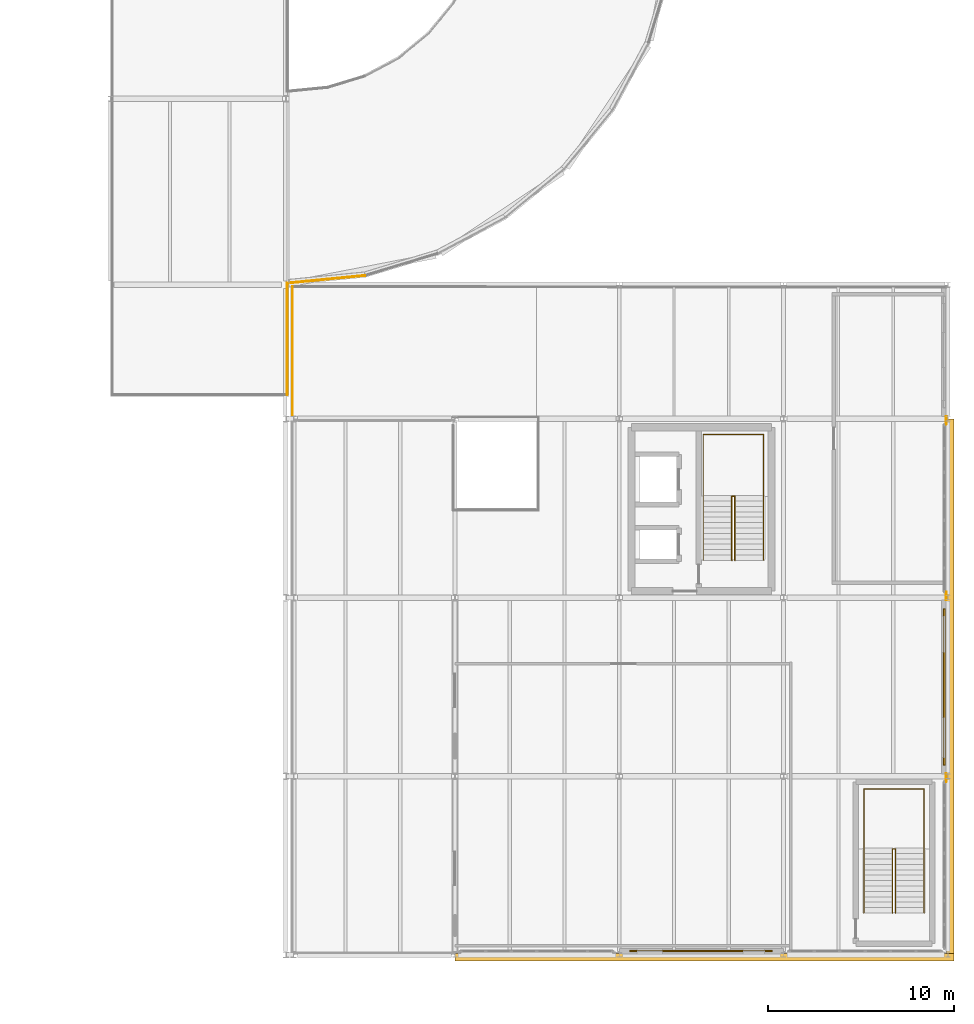
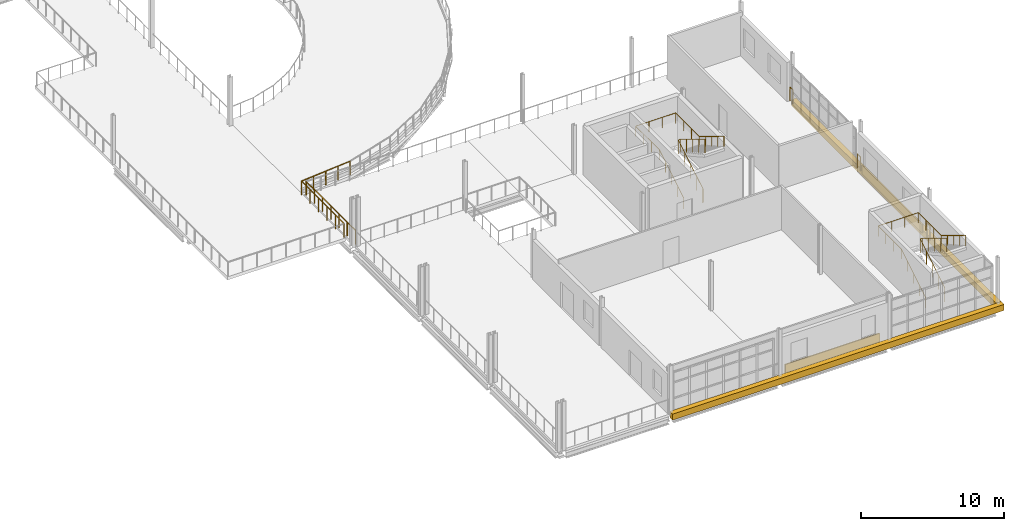
# One storey, part 56 of 58: 10 railings, 4 coverings.
"""IFC4 building model written with IfcOpenShell, lengths in metres."""

import ifcopenshell
import ifcopenshell.guid

model = None  # the IFC model being written
_history = None  # IfcOwnerHistory: only IFC2X3 demands one
_inside = {}  # id of a spatial element -> (the spatial element, [elements in it])
_under = {}  # id of a project, library or spatial element -> (it, [spatial elements below it])
_declared = {}  # id of a project -> (the project, [libraries it declares])
_typed = {}  # id of a type object -> (the type object, [elements of that type])
_made_of = {}  # id of a material, layer set ... -> (it, [elements and type objects made of it])


def new_model(schema):
    """Start an empty IFC model of exactly this schema.

    Asked for "IFC4X3", IfcOpenShell would pick the latest addendum, in which some entities
    have other attributes; the version numbers below select the first issue.
    IFC2X3 requires an IfcOwnerHistory on every rooted entity: one is made here for all.
    """
    global model, _history
    if schema == "IFC4X3":
        model = ifcopenshell.file(schema_version=(4, 3, 0, 0))
    else:
        model = ifcopenshell.file(schema=schema)
    _inside.clear()
    _under.clear()
    _declared.clear()
    _typed.clear()
    _made_of.clear()
    _history = None
    if model.schema == "IFC2X3":
        org = make("IfcOrganization", Name="unknown")
        user = make(
            "IfcPersonAndOrganization",
            ThePerson=make("IfcPerson", FamilyName="unknown"),
            TheOrganization=org,
        )
        app = make(
            "IfcApplication",
            ApplicationDeveloper=org,
            Version="unknown",
            ApplicationFullName="unknown",
            ApplicationIdentifier="unknown",
        )
        _history = make(
            "IfcOwnerHistory",
            OwningUser=user,
            OwningApplication=app,
            ChangeAction="ADDED",
            CreationDate=0,
        )
    return model


def make(cls, **values):
    """One entity of the class cls with the attributes given. An attribute that is None is left unset."""
    return model.create_entity(
        cls, **{name: value for name, value in values.items() if value is not None}
    )


def rooted(cls, **values):
    """An entity with a GlobalId (a new one), such as an element, a storey or a relation."""
    return make(cls, GlobalId=ifcopenshell.guid.new(), OwnerHistory=_history, **values)


def si_unit(unit_type, name, prefix=None):
    """IfcSIUnit, for example si_unit("LENGTHUNIT", "METRE", prefix="MILLI")."""
    return make("IfcSIUnit", UnitType=unit_type, Prefix=prefix, Name=name)


def assignment(units):
    """IfcUnitAssignment: the units of a project."""
    return None if units is None else make("IfcUnitAssignment", Units=units)


def point(xyz):
    """IfcCartesianPoint."""
    return None if xyz is None else make("IfcCartesianPoint", Coordinates=xyz)


def direction(xyz):
    """IfcDirection."""
    return None if xyz is None else make("IfcDirection", DirectionRatios=xyz)


def frame(location, z_axis=None, x_axis=None):
    """IfcAxis2Placement3D, a coordinate frame: its origin and axes. An axis left out is left unset."""
    return make(
        "IfcAxis2Placement3D",
        Location=point(location),
        Axis=direction(z_axis),
        RefDirection=direction(x_axis),
    )


def frame_2d(location, x_axis=None):
    """IfcAxis2Placement2D, a coordinate frame in the plane: its origin and x axis."""
    return make(
        "IfcAxis2Placement2D", Location=point(location), RefDirection=direction(x_axis)
    )


def origin():
    """The frame at (0, 0, 0) with its axes left unset."""
    return frame((0.0, 0.0, 0.0))


def origin_2d():
    """The frame at (0, 0) in the plane with its x axis left unset."""
    return frame_2d((0.0, 0.0))


def place(relative_to, where):
    """IfcLocalPlacement: puts the frame where relative to a parent placement (None: the world)."""
    return make(
        "IfcLocalPlacement", PlacementRelTo=relative_to, RelativePlacement=where
    )


def context(
    kind, dimensions, precision=None, world=None, true_north=None, identifier=None
):
    """IfcGeometricRepresentationContext, for example the 3D "Model" context."""
    return make(
        "IfcGeometricRepresentationContext",
        ContextIdentifier=identifier,
        ContextType=kind,
        CoordinateSpaceDimension=dimensions,
        Precision=precision,
        WorldCoordinateSystem=world,
        TrueNorth=true_north,
    )


def subcontext(parent, identifier, kind, view, scale=None):
    """IfcGeometricRepresentationSubContext, for example "Body" below "Model"."""
    return make(
        "IfcGeometricRepresentationSubContext",
        ContextIdentifier=identifier,
        ContextType=kind,
        ParentContext=parent,
        TargetScale=scale,
        TargetView=view,
    )


def project(units=None, contexts=None):
    """IfcProject with its units and contexts."""
    return rooted(
        "IfcProject",
        Name="project",
        RepresentationContexts=contexts,
        UnitsInContext=assignment(units),
    )


def spatial(cls, under=None, at=None, **own):
    """A site, building, storey or space (cls), placed at a placement, below another one or the project."""
    s = rooted(cls, ObjectPlacement=at, **own)
    if under is not None:
        _under.setdefault(under.id(), (under, []))[1].append(s)
    return s


def polyline(points):
    """IfcPolyline through the points."""
    return make("IfcPolyline", Points=[point(p) for p in points])


def profile(cls, at=None, kind="AREA", **sizes):
    """A parametric profile (cls). Its sizes go by their IFC names, for example OverallWidth=200.0."""
    return make(cls, ProfileType=kind, Position=at, **sizes)


def rectangle(**sizes):
    """IfcRectangleProfileDef."""
    return profile("IfcRectangleProfileDef", **sizes)


def circle(**sizes):
    """IfcCircleProfileDef."""
    return profile("IfcCircleProfileDef", **sizes)


def outline(outer, holes=None, kind="AREA"):
    """IfcArbitraryClosedProfileDef: a profile drawn as a closed curve; with holes, ...WithVoids."""
    if holes is None:
        return make("IfcArbitraryClosedProfileDef", ProfileType=kind, OuterCurve=outer)
    return make(
        "IfcArbitraryProfileDefWithVoids",
        ProfileType=kind,
        OuterCurve=outer,
        InnerCurves=holes,
    )


def extrude(swept, where, along, depth):
    """IfcExtrudedAreaSolid: the profile swept, set in the frame where, extruded along a direction by depth."""
    return make(
        "IfcExtrudedAreaSolid",
        SweptArea=swept,
        Position=where,
        ExtrudedDirection=direction(along),
        Depth=depth,
    )


def shape(context_of_items, identifier, shape_type, items):
    """IfcShapeRepresentation: the items that make up one representation, for example the "Body"."""
    return make(
        "IfcShapeRepresentation",
        ContextOfItems=context_of_items,
        RepresentationIdentifier=identifier,
        RepresentationType=shape_type,
        Items=items,
    )


def material(Name=None, Category=None):
    """IfcMaterial."""
    return make("IfcMaterial", Name=Name, Category=Category)


def layer(
    of_material, thickness, ventilated=None, Name=None, Category=None, Priority=None
):
    """IfcMaterialLayer: one layer of a wall or slab, of a material (None: an air gap)."""
    return make(
        "IfcMaterialLayer",
        Material=of_material,
        LayerThickness=thickness,
        IsVentilated=ventilated,
        Name=Name,
        Category=Category,
        Priority=Priority,
    )


def layer_set(layers, Name=None):
    """IfcMaterialLayerSet."""
    return make("IfcMaterialLayerSet", MaterialLayers=layers, LayerSetName=Name)


def made_of(thing, what):
    """Note that an element or type object is made of a material, layer set ...; save() writes the relation."""
    if what is not None:
        _made_of.setdefault(what.id(), (what, []))[1].append(thing)
    return thing


def type_object(cls, material=None, **own):
    """A type object (cls), such as IfcWallType, which elements share."""
    return made_of(rooted(cls, **own), material)


def element(
    cls,
    number,
    at=None,
    inside=None,
    cuts=None,
    type_object=None,
    material=None,
    context=None,
    identifier="Body",
    shape_type=None,
    held_by="IfcProductDefinitionShape",
    body=None,
    shapes=None,
    **own,
):
    """One element of the class cls, such as IfcWall. Its Tag is "e" and its number.

    at: its placement. inside: the storey or other place that contains it. cuts: it is an
    opening in that element (IfcRelVoidsElement). A single representation is given by context,
    identifier, shape_type and body (its items); several are given by shapes. held_by: the class
    of the entity that holds the representations. save() writes the other relations.
    """
    e = rooted(cls, Tag="e%d" % number, ObjectPlacement=at, **own)
    if body is not None:
        shapes = [shape(context, identifier, shape_type, body)]
    if shapes is not None:
        e.Representation = make(held_by, Representations=shapes)
    if inside is not None:
        _inside.setdefault(inside.id(), (inside, []))[1].append(e)
    if cuts is not None:
        rooted(
            "IfcRelVoidsElement", RelatingBuildingElement=cuts, RelatedOpeningElement=e
        )
    if type_object is not None:
        _typed.setdefault(type_object.id(), (type_object, []))[1].append(e)
    return made_of(e, material)


def aggregate(whole, parts):
    """IfcRelAggregates: a whole, such as a stair, and the parts it consists of."""
    return rooted("IfcRelAggregates", RelatingObject=whole, RelatedObjects=parts)


def save(model, path):
    """Write the relations noted so far, then the file.

    IfcRelAggregates (storeys below a building ...), IfcRelContainedInSpatialStructure (elements
    in a storey), IfcRelDefinesByType, IfcRelAssociatesMaterial and IfcRelDeclares: one each for
    every whole, place, type object, material and project.
    """
    for whole, parts in _under.values():
        aggregate(whole, parts)
    for where, things in _inside.values():
        rooted(
            "IfcRelContainedInSpatialStructure",
            RelatedElements=things,
            RelatingStructure=where,
        )
    for kind, things in _typed.values():
        rooted("IfcRelDefinesByType", RelatedObjects=things, RelatingType=kind)
    for what, things in _made_of.values():
        rooted("IfcRelAssociatesMaterial", RelatedObjects=things, RelatingMaterial=what)
    for by, libraries in _declared.values():
        rooted("IfcRelDeclares", RelatingContext=by, RelatedDefinitions=libraries)
    model.write(path)


model = new_model("IFC4")

# Units and contexts
model_context = context("Model", 3, precision=1e-05, world=origin(), true_north=direction((0.0, 1.0)))
body_context = subcontext(model_context, "Body", "Model", "MODEL_VIEW")
ifc_project = project(units=[si_unit("LENGTHUNIT", "METRE"), si_unit("AREAUNIT", "SQUARE_METRE"), si_unit("VOLUMEUNIT", "CUBIC_METRE"), si_unit("PLANEANGLEUNIT", "RADIAN"), si_unit("MASSUNIT", "GRAM", prefix="KILO")], contexts=[model_context])

# Site, building, storey
site_placement = place(None, origin())
site = spatial("IfcSite", under=ifc_project, at=site_placement, CompositionType="ELEMENT")
building_placement = place(site_placement, origin())
building = spatial("IfcBuilding", under=site, at=building_placement, Name="Yeouljin Market Hall", CompositionType="ELEMENT")
storey_placement = place(building_placement, frame((0.0, 0.0, 10.800048828125)))
storey = spatial("IfcBuildingStorey", under=building, at=storey_placement, Name="L02", CompositionType="ELEMENT", Elevation=10.800048828125)

# Coverings
ifc_material_1 = material(Name="Clinker Brick Masonry F2-S2", Category="masonry")
ifc_layer_1 = layer(ifc_material_1, 0.090087890625)
ifc_layer_set_1 = layer_set([ifc_layer_1], Name="Clinker Brick Masonry F2-S2")
covering_type_1 = type_object("IfcCoveringType", Name="Covering_Brick_FacadeCladding", PredefinedType="CLADDING", material=ifc_layer_set_1)
covering_1_placement = place(storey_placement, frame((163.125, 0.199951171875, 0.074951171875), z_axis=(0.0, 0.0, 1.0), x_axis=(-1.0, 0.0, 0.0)))
element("IfcCovering", 1, at=covering_1_placement, inside=storey, type_object=covering_type_1, Name="Muizentand clinker brick spandrel band L02-09", PredefinedType="CLADDING", context=body_context, shape_type="SweptSolid", body=[
    extrude(rectangle(XDim=7.64990234375, YDim=0.090087890625, at=origin_2d()), origin(), (0.0, 0.0, 1.0), 0.75),
])
covering_2_placement = place(storey_placement, frame((176.199951171875, 14.39990234375, 0.074951171875), z_axis=(0.0, 0.0, 1.0), x_axis=(0.0, -1.0, 0.0)))
element("IfcCovering", 2, at=covering_2_placement, inside=storey, type_object=covering_type_1, Name="Muizentand clinker brick spandrel band L02-13", PredefinedType="CLADDING", context=body_context, shape_type="SweptSolid", body=[
    extrude(rectangle(XDim=8.39990234375, YDim=0.090087890625, at=origin_2d()), origin(), (0.0, 0.0, 1.0), 0.75),
])
ifc_material_2 = material(Name="Clinker Brick Masonry F2-S2", Category="masonry")
ifc_layer_2 = layer(ifc_material_2, 0.360107421875)
ifc_layer_set_2 = layer_set([ifc_layer_2], Name="Clinker Brick Masonry F2-S2")
covering_type_2 = type_object("IfcCoveringType", Name="Covering_Clinker_SpandrelHood", PredefinedType="CLADDING", material=ifc_layer_set_2)
covering_3_placement = place(storey_placement, frame((0.0, 0.0, -0.35009765625)))
element("IfcCovering", 3, at=covering_3_placement, inside=storey, type_object=covering_type_2, Name="Corbelled brick spandrel hood SE-06", PredefinedType="CLADDING", context=body_context, shape_type="SweptSolid", body=[
    extrude(outline(polyline([(149.909912109375, -0.320068359375), (176.719970703125, -0.320068359375), (176.719970703125, 0.080078125), (149.909912109375, 0.080078125), (149.909912109375, -0.320068359375)])), origin(), (0.0, 0.0, 1.0), 0.52001953125),
])
covering_4_placement = place(storey_placement, frame((0.0, 0.0, -0.35009765625)))
element("IfcCovering", 4, at=covering_4_placement, inside=storey, type_object=covering_type_2, Name="Corbelled brick spandrel hood EE-08", PredefinedType="CLADDING", context=body_context, shape_type="SweptSolid", body=[
    extrude(outline(polyline([(176.320068359375, 0.0), (176.719970703125, 0.0), (176.719970703125, 28.800048828125), (176.320068359375, 28.800048828125), (176.320068359375, 0.0)])), origin(), (0.0, 0.0, 1.0), 0.52001953125),
])

# Railings
ifc_material_3 = material(Name="Wrought Iron and Bronze Gallery Balustrade")
railing_type_1 = type_object("IfcRailingType", Name="Railing_AtriumBalustrade_1200", PredefinedType="BALUSTRADE", material=ifc_material_3)
railing_1_placement = place(storey_placement, frame((141.179931640625, 29.0, 0.0)))
element("IfcRailing", 5, at=railing_1_placement, inside=storey, type_object=railing_type_1, Name="Gallery & deck edge balustrade L02-158", PredefinedType="BALUSTRADE", context=body_context, shape_type="SweptSolid", body=[
    extrude(circle(Radius=0.02392578125, at=origin_2d()), frame((0.0, 0.0, 1.17578125), z_axis=(0.0, 1.0, 0.0), x_axis=(-1.0, 0.0, 0.0)), (0.0, 0.0, 1.0), 6.89990234375),
    extrude(circle(Radius=0.02099609375, at=origin_2d()), origin(), (0.0, 0.0, 1.0), 1.15185546875),
    extrude(circle(Radius=0.02099609375, at=origin_2d()), frame((0.0, 1.14990234375, 0.0)), (0.0, 0.0, 1.0), 1.15185546875),
    extrude(circle(Radius=0.02099609375, at=origin_2d()), frame((0.0, 2.300048828125, 0.0)), (0.0, 0.0, 1.0), 1.15185546875),
    extrude(circle(Radius=0.02099609375, at=origin_2d()), frame((0.0, 3.449951171875, 0.0)), (0.0, 0.0, 1.0), 1.15185546875),
    extrude(circle(Radius=0.02099609375, at=origin_2d()), frame((0.0, 4.599853515625, 0.0)), (0.0, 0.0, 1.0), 1.15185546875),
    extrude(circle(Radius=0.02099609375, at=origin_2d()), frame((0.0, 5.75, 0.0)), (0.0, 0.0, 1.0), 1.15185546875),
    extrude(circle(Radius=0.02099609375, at=origin_2d()), frame((0.0, 6.89990234375, 0.0)), (0.0, 0.0, 1.0), 1.15185546875),
])
for number, where, name in (
    (6, (176.300048828125, 28.931884765625, 0.0), "Gallery & deck edge balustrade L02-160"),
    (7, (176.300048828125, 19.5, 0.0), "Gallery & deck edge balustrade L02-161"),
    (8, (176.300048828125, 9.73193359375, 0.0), "Gallery & deck edge balustrade L02-162"),
):
    element("IfcRailing", number, at=place(storey_placement, frame(where)), inside=storey, type_object=railing_type_1, Name=name, PredefinedType="BALUSTRADE", context=body_context, shape_type="SweptSolid", body=[
        extrude(circle(Radius=0.02392578125, at=origin_2d()), frame((0.0, 0.0, 1.17578125), z_axis=(0.0, -1.0, 0.0), x_axis=(1.0, 0.0, 0.0)), (0.0, 0.0, 1.0), 0.431884765625),
        extrude(circle(Radius=0.02099609375, at=origin_2d()), origin(), (0.0, 0.0, 1.0), 1.15185546875),
        extrude(circle(Radius=0.02099609375, at=origin_2d()), frame((0.0, -0.431884765625, 0.0)), (0.0, 0.0, 1.0), 1.15185546875),
    ])
railing_2_placement = place(storey_placement, frame((145.077392578125, 36.502197265625, 0.0)))
element("IfcRailing", 9, at=railing_2_placement, inside=storey, type_object=railing_type_1, Name="Gallery & deck edge balustrade L02-171", PredefinedType="BALUSTRADE", context=body_context, shape_type="SweptSolid", body=[
    extrude(circle(Radius=0.02392578125, at=origin_2d()), frame((0.0, 0.0, 1.17578125), z_axis=(-0.995180677405, -0.098058244527, 0.0), x_axis=(0.098058244527, -0.995180677405, 0.0)), (0.0, 0.0, 1.0), 4.19775390625),
    extrude(circle(Radius=0.02099609375, at=origin_2d()), origin(), (0.0, 0.0, 1.0), 1.15185546875),
    extrude(circle(Radius=0.02099609375, at=origin_2d()), frame((-1.04443359375, -0.10302734375, 0.0)), (0.0, 0.0, 1.0), 1.15185546875),
    extrude(circle(Radius=0.02099609375, at=origin_2d()), frame((-2.0888671875, -0.205810546875, 0.0)), (0.0, 0.0, 1.0), 1.15185546875),
    extrude(circle(Radius=0.02099609375, at=origin_2d()), frame((-3.133056640625, -0.30859375, 0.0)), (0.0, 0.0, 1.0), 1.15185546875),
    extrude(circle(Radius=0.02099609375, at=origin_2d()), frame((-4.177490234375, -0.41162109375, 0.0)), (0.0, 0.0, 1.0), 1.15185546875),
])
railing_3_placement = place(storey_placement, frame((140.89990234375, 36.090576171875, 0.0)))
element("IfcRailing", 10, at=railing_3_placement, inside=storey, type_object=railing_type_1, Name="Gallery & deck edge balustrade L02-172", PredefinedType="BALUSTRADE", context=body_context, shape_type="SweptSolid", body=[
    extrude(circle(Radius=0.02392578125, at=origin_2d()), frame((0.0, 0.0, 1.17578125), z_axis=(0.0, -1.0, 0.0), x_axis=(1.0, 0.0, 0.0)), (0.0, 0.0, 1.0), 5.990478515625),
    extrude(circle(Radius=0.02099609375, at=origin_2d()), origin(), (0.0, 0.0, 1.0), 1.15185546875),
    extrude(circle(Radius=0.02099609375, at=origin_2d()), frame((0.0, -1.197998046875, 0.0)), (0.0, 0.0, 1.0), 1.15185546875),
    extrude(circle(Radius=0.02099609375, at=origin_2d()), frame((0.0, -2.396240234375, 0.0)), (0.0, 0.0, 1.0), 1.15185546875),
    extrude(circle(Radius=0.02099609375, at=origin_2d()), frame((0.0, -3.59423828125, 0.0)), (0.0, 0.0, 1.0), 1.15185546875),
    extrude(circle(Radius=0.02099609375, at=origin_2d()), frame((0.0, -4.79248046875, 0.0)), (0.0, 0.0, 1.0), 1.15185546875),
    extrude(circle(Radius=0.02099609375, at=origin_2d()), frame((0.0, -5.990478515625, 0.0)), (0.0, 0.0, 1.0), 1.15185546875),
])
ifc_material_4 = material(Name="Painted Steel Stair Guardrail", Category="steel")
railing_type_2 = type_object("IfcRailingType", Name="Railing_StairGuard_1200", PredefinedType="GUARDRAIL", material=ifc_material_4)
railing_4_placement = place(storey_placement, frame((164.7900390625, 21.199951171875, 0.0)))
element("IfcRailing", 11, at=railing_4_placement, inside=storey, type_object=railing_type_2, Name="Stair ST-C3-L02 inner well guardrail", PredefinedType="GUARDRAIL", context=body_context, shape_type="SweptSolid", body=[
    extrude(circle(Radius=0.02392578125, at=origin_2d()), frame((0.0, 0.0, 1.17578125), z_axis=(0.0, 0.853539286737, 0.521028488661), x_axis=(-1.0, 0.0, 0.0)), (0.0, 0.0, 1.0), 4.0302734375),
    extrude(circle(Radius=0.02392578125, at=origin_2d()), frame((0.0, 3.43994140625, 3.27587890625), z_axis=(1.0, 0.0, 0.0), x_axis=(0.0, 1.0, 0.0)), (0.0, 0.0, 1.0), 0.159912109375),
    extrude(circle(Radius=0.02392578125, at=origin_2d()), frame((0.159912109375, 3.43994140625, 3.27587890625), z_axis=(0.0, -0.853512346452, 0.521072619175), x_axis=(1.0, 0.0, 0.0)), (0.0, 0.0, 1.0), 4.0302734375),
    extrude(circle(Radius=0.02099609375, at=origin_2d()), origin(), (0.0, 0.0, 1.0), 1.15185546875),
    extrude(circle(Radius=0.02099609375, at=origin_2d()), frame((0.0, 0.85986328125, 0.52490234375)), (0.0, 0.0, 1.0), 1.15185546875),
    extrude(circle(Radius=0.02099609375, at=origin_2d()), frame((0.0, 1.719970703125, 1.0498046875)), (0.0, 0.0, 1.0), 1.15185546875),
    extrude(circle(Radius=0.02099609375, at=origin_2d()), frame((0.0, 2.580078125, 1.574951171875)), (0.0, 0.0, 1.0), 1.15185546875),
    extrude(circle(Radius=0.02099609375, at=origin_2d()), frame((0.0, 3.43994140625, 2.099853515625)), (0.0, 0.0, 1.0), 1.15185546875),
    extrude(circle(Radius=0.02099609375, at=origin_2d()), frame((0.159912109375, 3.43994140625, 2.099853515625)), (0.0, 0.0, 1.0), 1.15185546875),
    extrude(circle(Radius=0.02099609375, at=origin_2d()), frame((0.159912109375, 2.580078125, 2.625)), (0.0, 0.0, 1.0), 1.15185546875),
    extrude(circle(Radius=0.02099609375, at=origin_2d()), frame((0.159912109375, 1.719970703125, 3.14990234375)), (0.0, 0.0, 1.0), 1.15185546875),
    extrude(circle(Radius=0.02099609375, at=origin_2d()), frame((0.159912109375, 0.85986328125, 3.6748046875)), (0.0, 0.0, 1.0), 1.15185546875),
    extrude(circle(Radius=0.02099609375, at=origin_2d()), frame((0.159912109375, 0.0, 4.199951171875)), (0.0, 0.0, 1.0), 1.15185546875),
])
railing_5_placement = place(storey_placement, frame((173.419921875, 2.25, 0.0)))
element("IfcRailing", 12, at=railing_5_placement, inside=storey, type_object=railing_type_2, Name="Stair ST-S8-L02 inner well guardrail", PredefinedType="GUARDRAIL", context=body_context, shape_type="SweptSolid", body=[
    extrude(circle(Radius=0.02392578125, at=origin_2d()), frame((0.0, 0.0, 1.17578125), z_axis=(0.0, 0.853539286737, 0.521028488661), x_axis=(-1.0, 0.0, 0.0)), (0.0, 0.0, 1.0), 4.0302734375),
    extrude(circle(Radius=0.02392578125, at=origin_2d()), frame((0.0, 3.43994140625, 3.27587890625), z_axis=(1.0, 0.0, 0.0), x_axis=(0.0, 1.0, 0.0)), (0.0, 0.0, 1.0), 0.16015625),
    extrude(circle(Radius=0.02392578125, at=origin_2d()), frame((0.16015625, 3.43994140625, 3.27587890625), z_axis=(0.0, -0.853512346452, 0.521072619175), x_axis=(1.0, 0.0, 0.0)), (0.0, 0.0, 1.0), 4.0302734375),
    extrude(circle(Radius=0.02099609375, at=origin_2d()), origin(), (0.0, 0.0, 1.0), 1.15185546875),
    extrude(circle(Radius=0.02099609375, at=origin_2d()), frame((0.0, 0.85986328125, 0.52490234375)), (0.0, 0.0, 1.0), 1.15185546875),
    extrude(circle(Radius=0.02099609375, at=origin_2d()), frame((0.0, 1.719970703125, 1.0498046875)), (0.0, 0.0, 1.0), 1.15185546875),
    extrude(circle(Radius=0.02099609375, at=origin_2d()), frame((0.0, 2.580078125, 1.574951171875)), (0.0, 0.0, 1.0), 1.15185546875),
    extrude(circle(Radius=0.02099609375, at=origin_2d()), frame((0.0, 3.43994140625, 2.099853515625)), (0.0, 0.0, 1.0), 1.15185546875),
    extrude(circle(Radius=0.02099609375, at=origin_2d()), frame((0.16015625, 3.43994140625, 2.099853515625)), (0.0, 0.0, 1.0), 1.15185546875),
    extrude(circle(Radius=0.02099609375, at=origin_2d()), frame((0.16015625, 2.580078125, 2.625)), (0.0, 0.0, 1.0), 1.15185546875),
    extrude(circle(Radius=0.02099609375, at=origin_2d()), frame((0.16015625, 1.719970703125, 3.14990234375)), (0.0, 0.0, 1.0), 1.15185546875),
    extrude(circle(Radius=0.02099609375, at=origin_2d()), frame((0.16015625, 0.85986328125, 3.6748046875)), (0.0, 0.0, 1.0), 1.15185546875),
    extrude(circle(Radius=0.02099609375, at=origin_2d()), frame((0.16015625, 0.0, 4.199951171875)), (0.0, 0.0, 1.0), 1.15185546875),
])
ifc_material_5 = material(Name="Brushed Stainless Steel", Category="steel")
railing_type_3 = type_object("IfcRailingType", Name="Railing_StairHandrail_900", PredefinedType="HANDRAIL", material=ifc_material_5)
railing_6_placement = place(storey_placement, frame((163.25, 21.199951171875, 0.0)))
element("IfcRailing", 13, at=railing_6_placement, inside=storey, type_object=railing_type_3, Name="Stair ST-C3-L02 wall handrail", PredefinedType="HANDRAIL", context=body_context, shape_type="SweptSolid", body=[
    extrude(circle(Radius=0.02392578125, at=origin_2d()), frame((0.0, 0.0, 0.8759765625), z_axis=(0.0, 0.853539286737, 0.521028488661), x_axis=(-1.0, 0.0, 0.0)), (0.0, 0.0, 1.0), 4.0302734375),
    extrude(circle(Radius=0.02392578125, at=origin_2d()), frame((0.0, 3.43994140625, 2.9755859375), z_axis=(0.0, 1.0, 0.0), x_axis=(-1.0, 0.0, 0.0)), (0.0, 0.0, 1.0), 3.330078125),
    extrude(circle(Radius=0.02392578125, at=origin_2d()), frame((0.0, 6.77001953125, 2.9755859375), z_axis=(1.0, 0.0, 0.0), x_axis=(0.0, 1.0, 0.0)), (0.0, 0.0, 1.0), 3.239990234375),
    extrude(circle(Radius=0.02392578125, at=origin_2d()), frame((3.239990234375, 6.77001953125, 2.9755859375), z_axis=(0.0, -1.0, 0.0), x_axis=(1.0, 0.0, 0.0)), (0.0, 0.0, 1.0), 3.330078125),
    extrude(circle(Radius=0.02392578125, at=origin_2d()), frame((3.239990234375, 3.43994140625, 2.9755859375), z_axis=(0.0, -0.853512346452, 0.521072619175), x_axis=(1.0, 0.0, 0.0)), (0.0, 0.0, 1.0), 4.0302734375),
    extrude(circle(Radius=0.02099609375, at=origin_2d()), origin(), (0.0, 0.0, 1.0), 0.851806640625),
    extrude(circle(Radius=0.02099609375, at=origin_2d()), frame((0.0, 0.85986328125, 0.52490234375)), (0.0, 0.0, 1.0), 0.851806640625),
    extrude(circle(Radius=0.02099609375, at=origin_2d()), frame((0.0, 1.719970703125, 1.0498046875)), (0.0, 0.0, 1.0), 0.851806640625),
    extrude(circle(Radius=0.02099609375, at=origin_2d()), frame((0.0, 2.580078125, 1.574951171875)), (0.0, 0.0, 1.0), 0.851806640625),
    extrude(circle(Radius=0.02099609375, at=origin_2d()), frame((0.0, 3.43994140625, 2.099853515625)), (0.0, 0.0, 1.0), 0.851806640625),
    extrude(circle(Radius=0.02099609375, at=origin_2d()), frame((0.0, 4.550048828125, 2.099853515625)), (0.0, 0.0, 1.0), 0.851806640625),
    extrude(circle(Radius=0.02099609375, at=origin_2d()), frame((0.0, 5.659912109375, 2.099853515625)), (0.0, 0.0, 1.0), 0.851806640625),
    extrude(circle(Radius=0.02099609375, at=origin_2d()), frame((0.0, 6.77001953125, 2.099853515625)), (0.0, 0.0, 1.0), 0.851806640625),
    extrude(circle(Radius=0.02099609375, at=origin_2d()), frame((1.080078125, 6.77001953125, 2.099853515625)), (0.0, 0.0, 1.0), 0.851806640625),
    extrude(circle(Radius=0.02099609375, at=origin_2d()), frame((2.159912109375, 6.77001953125, 2.099853515625)), (0.0, 0.0, 1.0), 0.851806640625),
    extrude(circle(Radius=0.02099609375, at=origin_2d()), frame((3.239990234375, 6.77001953125, 2.099853515625)), (0.0, 0.0, 1.0), 0.851806640625),
    extrude(circle(Radius=0.02099609375, at=origin_2d()), frame((3.239990234375, 5.659912109375, 2.099853515625)), (0.0, 0.0, 1.0), 0.851806640625),
    extrude(circle(Radius=0.02099609375, at=origin_2d()), frame((3.239990234375, 4.550048828125, 2.099853515625)), (0.0, 0.0, 1.0), 0.851806640625),
    extrude(circle(Radius=0.02099609375, at=origin_2d()), frame((3.239990234375, 3.43994140625, 2.099853515625)), (0.0, 0.0, 1.0), 0.851806640625),
    extrude(circle(Radius=0.02099609375, at=origin_2d()), frame((3.239990234375, 2.580078125, 2.625)), (0.0, 0.0, 1.0), 0.851806640625),
    extrude(circle(Radius=0.02099609375, at=origin_2d()), frame((3.239990234375, 1.719970703125, 3.14990234375)), (0.0, 0.0, 1.0), 0.851806640625),
    extrude(circle(Radius=0.02099609375, at=origin_2d()), frame((3.239990234375, 0.85986328125, 3.6748046875)), (0.0, 0.0, 1.0), 0.851806640625),
    extrude(circle(Radius=0.02099609375, at=origin_2d()), frame((3.239990234375, 0.0, 4.199951171875)), (0.0, 0.0, 1.0), 0.851806640625),
])
railing_7_placement = place(storey_placement, frame((171.8798828125, 2.25, 0.0)))
element("IfcRailing", 14, at=railing_7_placement, inside=storey, type_object=railing_type_3, Name="Stair ST-S8-L02 wall handrail", PredefinedType="HANDRAIL", context=body_context, shape_type="SweptSolid", body=[
    extrude(circle(Radius=0.02392578125, at=origin_2d()), frame((0.0, 0.0, 0.8759765625), z_axis=(0.0, 0.853539286737, 0.521028488661), x_axis=(-1.0, 0.0, 0.0)), (0.0, 0.0, 1.0), 4.0302734375),
    extrude(circle(Radius=0.02392578125, at=origin_2d()), frame((0.0, 3.43994140625, 2.9755859375), z_axis=(0.0, 1.0, 0.0), x_axis=(-1.0, 0.0, 0.0)), (0.0, 0.0, 1.0), 3.22998046875),
    extrude(circle(Radius=0.02392578125, at=origin_2d()), frame((0.0, 6.669921875, 2.9755859375), z_axis=(1.0, 0.0, 0.0), x_axis=(0.0, 1.0, 0.0)), (0.0, 0.0, 1.0), 3.240234375),
    extrude(circle(Radius=0.02392578125, at=origin_2d()), frame((3.240234375, 6.669921875, 2.9755859375), z_axis=(0.0, -1.0, 0.0), x_axis=(1.0, 0.0, 0.0)), (0.0, 0.0, 1.0), 3.22998046875),
    extrude(circle(Radius=0.02392578125, at=origin_2d()), frame((3.240234375, 3.43994140625, 2.9755859375), z_axis=(0.0, -0.853512346452, 0.521072619175), x_axis=(1.0, 0.0, 0.0)), (0.0, 0.0, 1.0), 4.0302734375),
    extrude(circle(Radius=0.02099609375, at=origin_2d()), origin(), (0.0, 0.0, 1.0), 0.851806640625),
    extrude(circle(Radius=0.02099609375, at=origin_2d()), frame((0.0, 0.85986328125, 0.52490234375)), (0.0, 0.0, 1.0), 0.851806640625),
    extrude(circle(Radius=0.02099609375, at=origin_2d()), frame((0.0, 1.719970703125, 1.0498046875)), (0.0, 0.0, 1.0), 0.851806640625),
    extrude(circle(Radius=0.02099609375, at=origin_2d()), frame((0.0, 2.580078125, 1.574951171875)), (0.0, 0.0, 1.0), 0.851806640625),
    extrude(circle(Radius=0.02099609375, at=origin_2d()), frame((0.0, 3.43994140625, 2.099853515625)), (0.0, 0.0, 1.0), 0.851806640625),
    extrude(circle(Radius=0.02099609375, at=origin_2d()), frame((0.0, 4.5166015625, 2.099853515625)), (0.0, 0.0, 1.0), 0.851806640625),
    extrude(circle(Radius=0.02099609375, at=origin_2d()), frame((0.0, 5.59326171875, 2.099853515625)), (0.0, 0.0, 1.0), 0.851806640625),
    extrude(circle(Radius=0.02099609375, at=origin_2d()), frame((0.0, 6.669921875, 2.099853515625)), (0.0, 0.0, 1.0), 0.851806640625),
    extrude(circle(Radius=0.02099609375, at=origin_2d()), frame((1.080078125, 6.669921875, 2.099853515625)), (0.0, 0.0, 1.0), 0.851806640625),
    extrude(circle(Radius=0.02099609375, at=origin_2d()), frame((2.16015625, 6.669921875, 2.099853515625)), (0.0, 0.0, 1.0), 0.851806640625),
    extrude(circle(Radius=0.02099609375, at=origin_2d()), frame((3.240234375, 6.669921875, 2.099853515625)), (0.0, 0.0, 1.0), 0.851806640625),
    extrude(circle(Radius=0.02099609375, at=origin_2d()), frame((3.240234375, 5.59326171875, 2.099853515625)), (0.0, 0.0, 1.0), 0.851806640625),
    extrude(circle(Radius=0.02099609375, at=origin_2d()), frame((3.240234375, 4.5166015625, 2.099853515625)), (0.0, 0.0, 1.0), 0.851806640625),
    extrude(circle(Radius=0.02099609375, at=origin_2d()), frame((3.240234375, 3.43994140625, 2.099853515625)), (0.0, 0.0, 1.0), 0.851806640625),
    extrude(circle(Radius=0.02099609375, at=origin_2d()), frame((3.240234375, 2.580078125, 2.625)), (0.0, 0.0, 1.0), 0.851806640625),
    extrude(circle(Radius=0.02099609375, at=origin_2d()), frame((3.240234375, 1.719970703125, 3.14990234375)), (0.0, 0.0, 1.0), 0.851806640625),
    extrude(circle(Radius=0.02099609375, at=origin_2d()), frame((3.240234375, 0.85986328125, 3.6748046875)), (0.0, 0.0, 1.0), 0.851806640625),
    extrude(circle(Radius=0.02099609375, at=origin_2d()), frame((3.240234375, 0.0, 4.199951171875)), (0.0, 0.0, 1.0), 0.851806640625),
])

save(model, "model.ifc")
